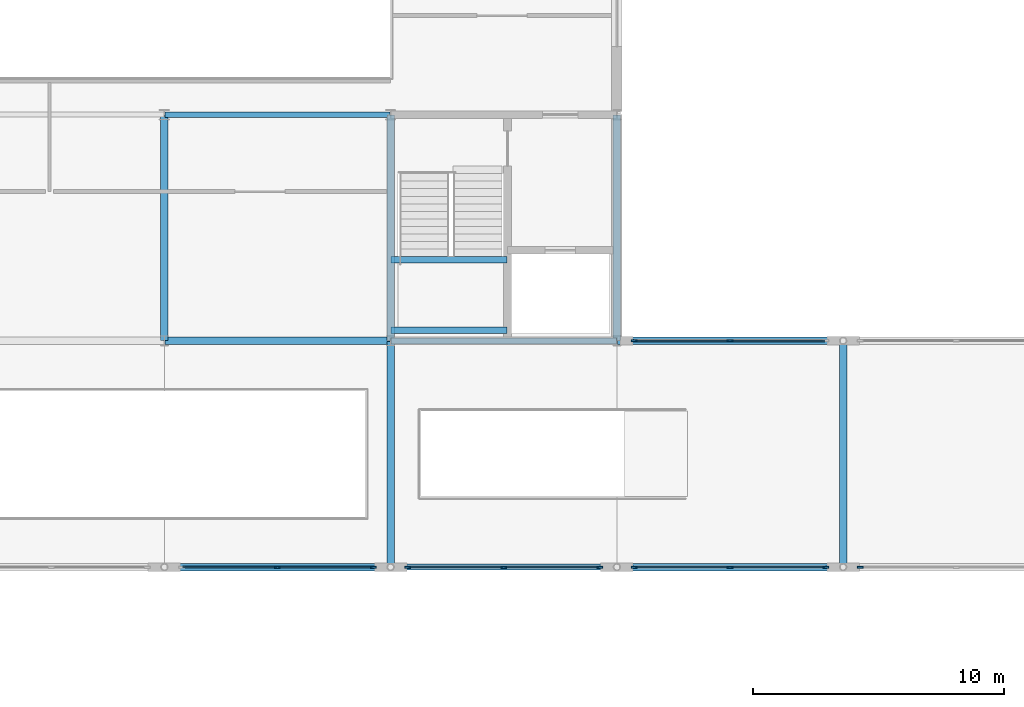
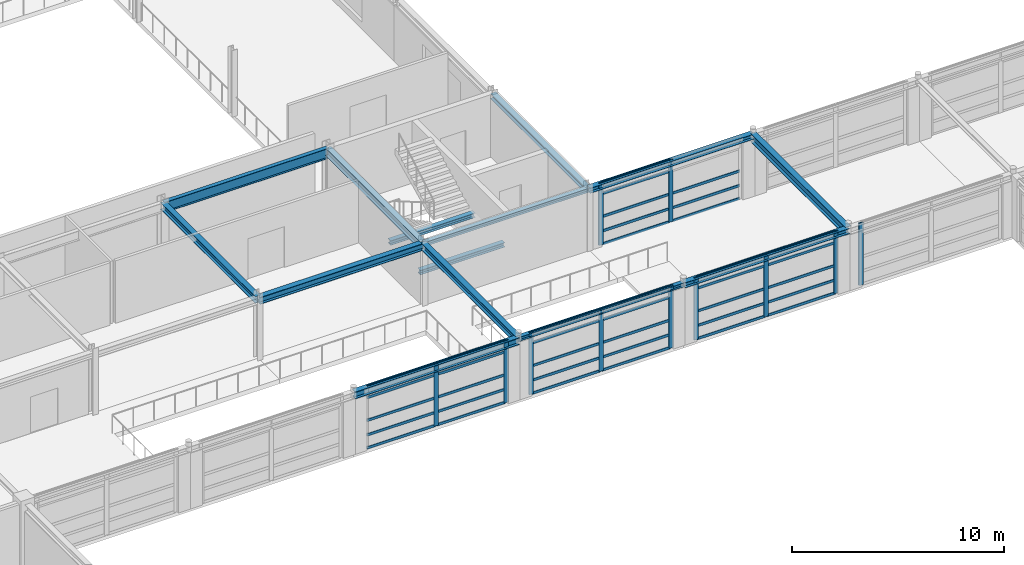
# One storey, part 33 of 79: 49 members, 14 beams, 5 elements without a shape of their own.
"""IFC4 building model written with IfcOpenShell, lengths in metres."""

from ifc_helpers import new_model, si_unit, direction, frame, origin, origin_2d, place, context, subcontext, project, spatial, rectangle, i_section, extrude, material, material_profile, profile_set, type_object, element, aggregate, save


model = new_model("IFC4")

# Units and contexts
model_context = context("Model", 3, precision=1e-05, world=origin(), true_north=direction((0.0, 1.0)))
body_context = subcontext(model_context, "Body", "Model", "MODEL_VIEW")
ifc_project = project(units=[si_unit("LENGTHUNIT", "METRE"), si_unit("AREAUNIT", "SQUARE_METRE"), si_unit("VOLUMEUNIT", "CUBIC_METRE"), si_unit("PLANEANGLEUNIT", "RADIAN"), si_unit("MASSUNIT", "GRAM", prefix="KILO")], contexts=[model_context])

# Site, building, storey
site_placement = place(None, origin())
site = spatial("IfcSite", under=ifc_project, at=site_placement, CompositionType="ELEMENT")
building_placement = place(site_placement, origin())
building = spatial("IfcBuilding", under=site, at=building_placement, Name="Palais des Congres Ocreval", CompositionType="ELEMENT")
storey_placement = place(building_placement, frame((0.0, 0.0, 4.320068359375)))
storey = spatial("IfcBuildingStorey", under=building, at=storey_placement, Name="L01", CompositionType="ELEMENT", Elevation=4.320068359375)

# Beam
ifc_material_1 = material(Name="Steel S355", Category="steel")
ifc_material_profile_1 = material_profile(ifc_material_1, i_section(OverallWidth=0.219970703125, OverallDepth=0.60009765625, WebThickness=0.011962890625, FlangeThickness=0.01904296875, at=origin_2d()), Name="IPE 600")
ifc_profile_set_1 = profile_set([ifc_material_profile_1], Name="Steel S355")
beam_type_1 = type_object("IfcBeamType", Name="Composite Beam IPE 600 Steel S355", PredefinedType="BEAM", material=ifc_profile_set_1)
beam_1_placement = place(storey_placement, frame((36.02001953125, 90.0, 3.280029296875), z_axis=(1.0, 0.0, 0.0), x_axis=(0.0, 1.0, 0.0)))
element("IfcBeam", 1, at=beam_1_placement, inside=storey, type_object=beam_type_1, Name="Beam B06 L01", PredefinedType="BEAM", context=body_context, shape_type="SweptSolid", body=[
    extrude(i_section(OverallWidth=0.219970703125, OverallDepth=0.60009765625, WebThickness=0.011962890625, FlangeThickness=0.01904296875, at=origin_2d()), origin(), (0.0, 0.0, 1.0), 8.9599609375),
])

# Curtain wall, members
ifc_material_2 = material(Name="Anodized bronze aluminium and low-E glass", Category="glass")
curtain_wall_type = type_object("IfcCurtainWallType", Name="Unitised Curtain Wall 7900x3660", PredefinedType="USERDEFINED", material=ifc_material_2)
curtain_wall_1_placement = place(storey_placement, origin())
curtain_wall_1 = element("IfcCurtainWall", 2, at=curtain_wall_1_placement, inside=storey, type_object=curtain_wall_type, Name="Unitised Curtain Wall CW02 L01", ObjectType="UNITISED CURTAIN WALL", PredefinedType="USERDEFINED")
ifc_material_3 = material(Name="Anodized bronze aluminium", Category="aluminium")
ifc_material_profile_2 = material_profile(ifc_material_3, rectangle(XDim=0.074951171875, YDim=0.239990234375, at=origin_2d()), Name="ALU 75x240")
ifc_profile_set_2 = profile_set([ifc_material_profile_2], Name="Anodized bronze aluminium")
member_type_1 = type_object("IfcMemberType", Name="Curtain Wall Mullion ALU 75x240", PredefinedType="MULLION", material=ifc_profile_set_2)
member_1_placement = place(storey_placement, frame((54.6875, 81.0, 0.0), z_axis=(0.0, 0.0, 1.0), x_axis=(0.0, 1.0, 0.0)))
member_1 = element("IfcMember", 3, at=member_1_placement, type_object=member_type_1, Name="Curtain Wall Mullion ML01", PredefinedType="MULLION", context=body_context, shape_type="SweptSolid", body=[
    extrude(rectangle(XDim=0.074951171875, YDim=0.239990234375, at=origin_2d()), origin(), (0.0, 0.0, 1.0), 3.58984375),
])
member_2_placement = place(storey_placement, frame((58.5, 81.0, 0.0), z_axis=(0.0, 0.0, 1.0), x_axis=(0.0, 1.0, 0.0)))
member_2 = element("IfcMember", 4, at=member_2_placement, type_object=member_type_1, Name="Curtain Wall Mullion ML01", PredefinedType="MULLION", context=body_context, shape_type="SweptSolid", body=[
    extrude(rectangle(XDim=0.074951171875, YDim=0.239990234375, at=origin_2d()), origin(), (0.0, 0.0, 1.0), 3.58984375),
])

# Curtain wall, member
curtain_wall_2_placement = place(storey_placement, origin())
curtain_wall_2 = element("IfcCurtainWall", 5, at=curtain_wall_2_placement, inside=storey, type_object=curtain_wall_type, Name="Unitised Curtain Wall CW02 L01", ObjectType="UNITISED CURTAIN WALL", PredefinedType="USERDEFINED")
member_3_placement = place(storey_placement, frame((63.6875, 72.0, 0.0), z_axis=(0.0, 0.0, 1.0), x_axis=(0.0, -1.0, 0.0)))
member_3 = element("IfcMember", 6, at=member_3_placement, type_object=member_type_1, Name="Curtain Wall Mullion ML01", PredefinedType="MULLION", context=body_context, shape_type="SweptSolid", body=[
    extrude(rectangle(XDim=0.074951171875, YDim=0.239990234375, at=origin_2d()), origin(), (0.0, 0.0, 1.0), 3.58984375),
])
aggregate(curtain_wall_2, [member_3])

# Curtain wall, members
curtain_wall_3_placement = place(storey_placement, origin())
curtain_wall_3 = element("IfcCurtainWall", 7, at=curtain_wall_3_placement, inside=storey, type_object=curtain_wall_type, Name="Unitised Curtain Wall CW02 L01", ObjectType="UNITISED CURTAIN WALL", PredefinedType="USERDEFINED")
member_4_placement = place(storey_placement, frame((62.3125, 72.0, 0.0), z_axis=(0.0, 0.0, 1.0), x_axis=(0.0, -1.0, 0.0)))
member_4 = element("IfcMember", 8, at=member_4_placement, type_object=member_type_1, Name="Curtain Wall Mullion ML01", PredefinedType="MULLION", context=body_context, shape_type="SweptSolid", body=[
    extrude(rectangle(XDim=0.074951171875, YDim=0.239990234375, at=origin_2d()), origin(), (0.0, 0.0, 1.0), 3.58984375),
])
member_5_placement = place(storey_placement, frame((58.5, 72.0, 0.0), z_axis=(0.0, 0.0, 1.0), x_axis=(0.0, -1.0, 0.0)))
member_5 = element("IfcMember", 9, at=member_5_placement, type_object=member_type_1, Name="Curtain Wall Mullion ML01", PredefinedType="MULLION", context=body_context, shape_type="SweptSolid", body=[
    extrude(rectangle(XDim=0.074951171875, YDim=0.239990234375, at=origin_2d()), origin(), (0.0, 0.0, 1.0), 3.58984375),
])
member_6_placement = place(storey_placement, frame((54.6875, 72.0, 0.0), z_axis=(0.0, 0.0, 1.0), x_axis=(0.0, -1.0, 0.0)))
member_6 = element("IfcMember", 10, at=member_6_placement, type_object=member_type_1, Name="Curtain Wall Mullion ML01", PredefinedType="MULLION", context=body_context, shape_type="SweptSolid", body=[
    extrude(rectangle(XDim=0.074951171875, YDim=0.239990234375, at=origin_2d()), origin(), (0.0, 0.0, 1.0), 3.58984375),
])

curtain_wall_4_placement = place(storey_placement, origin())
curtain_wall_4 = element("IfcCurtainWall", 11, at=curtain_wall_4_placement, inside=storey, type_object=curtain_wall_type, Name="Unitised Curtain Wall CW02 L01", ObjectType="UNITISED CURTAIN WALL", PredefinedType="USERDEFINED")
member_7_placement = place(storey_placement, frame((53.3125, 72.0, 0.0), z_axis=(0.0, 0.0, 1.0), x_axis=(0.0, -1.0, 0.0)))
member_7 = element("IfcMember", 12, at=member_7_placement, type_object=member_type_1, Name="Curtain Wall Mullion ML01", PredefinedType="MULLION", context=body_context, shape_type="SweptSolid", body=[
    extrude(rectangle(XDim=0.074951171875, YDim=0.239990234375, at=origin_2d()), origin(), (0.0, 0.0, 1.0), 3.58984375),
])
member_8_placement = place(storey_placement, frame((49.5, 72.0, 0.0), z_axis=(0.0, 0.0, 1.0), x_axis=(0.0, -1.0, 0.0)))
member_8 = element("IfcMember", 13, at=member_8_placement, type_object=member_type_1, Name="Curtain Wall Mullion ML01", PredefinedType="MULLION", context=body_context, shape_type="SweptSolid", body=[
    extrude(rectangle(XDim=0.074951171875, YDim=0.239990234375, at=origin_2d()), origin(), (0.0, 0.0, 1.0), 3.58984375),
])
member_9_placement = place(storey_placement, frame((45.6875, 72.0, 0.0), z_axis=(0.0, 0.0, 1.0), x_axis=(0.0, -1.0, 0.0)))
member_9 = element("IfcMember", 14, at=member_9_placement, type_object=member_type_1, Name="Curtain Wall Mullion ML01", PredefinedType="MULLION", context=body_context, shape_type="SweptSolid", body=[
    extrude(rectangle(XDim=0.074951171875, YDim=0.239990234375, at=origin_2d()), origin(), (0.0, 0.0, 1.0), 3.58984375),
])

curtain_wall_5_placement = place(storey_placement, origin())
curtain_wall_5 = element("IfcCurtainWall", 15, at=curtain_wall_5_placement, inside=storey, type_object=curtain_wall_type, Name="Unitised Curtain Wall CW02 L01", ObjectType="UNITISED CURTAIN WALL", PredefinedType="USERDEFINED")
member_10_placement = place(storey_placement, frame((44.3125, 72.0, 0.0), z_axis=(0.0, 0.0, 1.0), x_axis=(0.0, -1.0, 0.0)))
member_10 = element("IfcMember", 16, at=member_10_placement, type_object=member_type_1, Name="Curtain Wall Mullion ML01", PredefinedType="MULLION", context=body_context, shape_type="SweptSolid", body=[
    extrude(rectangle(XDim=0.074951171875, YDim=0.239990234375, at=origin_2d()), origin(), (0.0, 0.0, 1.0), 3.58984375),
])
member_11_placement = place(storey_placement, frame((40.5, 72.0, 0.0), z_axis=(0.0, 0.0, 1.0), x_axis=(0.0, -1.0, 0.0)))
member_11 = element("IfcMember", 17, at=member_11_placement, type_object=member_type_1, Name="Curtain Wall Mullion ML01", PredefinedType="MULLION", context=body_context, shape_type="SweptSolid", body=[
    extrude(rectangle(XDim=0.074951171875, YDim=0.239990234375, at=origin_2d()), origin(), (0.0, 0.0, 1.0), 3.58984375),
])

# Member
ifc_material_profile_3 = material_profile(ifc_material_3, rectangle(XDim=0.06005859375, YDim=0.14990234375, at=origin_2d()), Name="ALU 60x150")
ifc_profile_set_3 = profile_set([ifc_material_profile_3], Name="Anodized bronze aluminium")
member_type_2 = type_object("IfcMemberType", Name="Curtain Wall Transom ALU 60x150", PredefinedType="USERDEFINED", material=ifc_profile_set_3)
member_12_placement = place(storey_placement, frame((54.72509765625, 81.0, 0.030029296875), z_axis=(1.0, 0.0, 0.0), x_axis=(0.0, 1.0, 0.0)))
member_12 = element("IfcMember", 18, at=member_12_placement, type_object=member_type_2, Name="Curtain Wall Transom TR01", ObjectType="TRANSOM", PredefinedType="USERDEFINED", context=body_context, shape_type="SweptSolid", body=[
    extrude(rectangle(XDim=0.06005859375, YDim=0.14990234375, at=origin_2d()), origin(), (0.0, 0.0, 1.0), 3.7373046875),
])

member_13_placement = place(storey_placement, frame((54.72509765625, 81.0, 0.780029296875), z_axis=(1.0, 0.0, 0.0), x_axis=(0.0, 1.0, 0.0)))
member_13 = element("IfcMember", 19, at=member_13_placement, type_object=member_type_2, Name="Curtain Wall Transom TR01", ObjectType="TRANSOM", PredefinedType="USERDEFINED", context=body_context, shape_type="SweptSolid", body=[
    extrude(rectangle(XDim=0.06005859375, YDim=0.14990234375, at=origin_2d()), origin(), (0.0, 0.0, 1.0), 3.7373046875),
])

member_14_placement = place(storey_placement, frame((54.72509765625, 81.0, 1.616943359375), z_axis=(1.0, 0.0, 0.0), x_axis=(0.0, 1.0, 0.0)))
member_14 = element("IfcMember", 20, at=member_14_placement, type_object=member_type_2, Name="Curtain Wall Transom TR01", ObjectType="TRANSOM", PredefinedType="USERDEFINED", context=body_context, shape_type="SweptSolid", body=[
    extrude(rectangle(XDim=0.06005859375, YDim=0.14990234375, at=origin_2d()), origin(), (0.0, 0.0, 1.0), 3.7373046875),
])

member_15_placement = place(storey_placement, frame((54.72509765625, 81.0, 2.93994140625), z_axis=(1.0, 0.0, 0.0), x_axis=(0.0, 1.0, 0.0)))
member_15 = element("IfcMember", 21, at=member_15_placement, type_object=member_type_2, Name="Curtain Wall Transom TR01", ObjectType="TRANSOM", PredefinedType="USERDEFINED", context=body_context, shape_type="SweptSolid", body=[
    extrude(rectangle(XDim=0.06005859375, YDim=0.14990234375, at=origin_2d()), origin(), (0.0, 0.0, 1.0), 3.7373046875),
])

member_16_placement = place(storey_placement, frame((54.72509765625, 81.0, 3.559814453125), z_axis=(1.0, 0.0, 0.0), x_axis=(0.0, 1.0, 0.0)))
member_16 = element("IfcMember", 22, at=member_16_placement, type_object=member_type_2, Name="Curtain Wall Transom TR01", ObjectType="TRANSOM", PredefinedType="USERDEFINED", context=body_context, shape_type="SweptSolid", body=[
    extrude(rectangle(XDim=0.06005859375, YDim=0.14990234375, at=origin_2d()), origin(), (0.0, 0.0, 1.0), 3.7373046875),
])

member_17_placement = place(storey_placement, frame((58.53759765625, 81.0, 0.030029296875), z_axis=(1.0, 0.0, 0.0), x_axis=(0.0, 1.0, 0.0)))
member_17 = element("IfcMember", 23, at=member_17_placement, type_object=member_type_2, Name="Curtain Wall Transom TR01", ObjectType="TRANSOM", PredefinedType="USERDEFINED", context=body_context, shape_type="SweptSolid", body=[
    extrude(rectangle(XDim=0.06005859375, YDim=0.14990234375, at=origin_2d()), origin(), (0.0, 0.0, 1.0), 3.7373046875),
])

member_18_placement = place(storey_placement, frame((58.53759765625, 81.0, 0.780029296875), z_axis=(1.0, 0.0, 0.0), x_axis=(0.0, 1.0, 0.0)))
member_18 = element("IfcMember", 24, at=member_18_placement, type_object=member_type_2, Name="Curtain Wall Transom TR01", ObjectType="TRANSOM", PredefinedType="USERDEFINED", context=body_context, shape_type="SweptSolid", body=[
    extrude(rectangle(XDim=0.06005859375, YDim=0.14990234375, at=origin_2d()), origin(), (0.0, 0.0, 1.0), 3.7373046875),
])

member_19_placement = place(storey_placement, frame((58.53759765625, 81.0, 1.616943359375), z_axis=(1.0, 0.0, 0.0), x_axis=(0.0, 1.0, 0.0)))
member_19 = element("IfcMember", 25, at=member_19_placement, type_object=member_type_2, Name="Curtain Wall Transom TR01", ObjectType="TRANSOM", PredefinedType="USERDEFINED", context=body_context, shape_type="SweptSolid", body=[
    extrude(rectangle(XDim=0.06005859375, YDim=0.14990234375, at=origin_2d()), origin(), (0.0, 0.0, 1.0), 3.7373046875),
])

aggregate(curtain_wall_1, [member_1, member_2, member_12, member_13, member_14, member_15, member_16, member_17, member_18, member_19])

member_20_placement = place(storey_placement, frame((62.27490234375, 72.0, 0.030029296875), z_axis=(-1.0, 0.0, 0.0), x_axis=(0.0, -1.0, 0.0)))
member_20 = element("IfcMember", 26, at=member_20_placement, type_object=member_type_2, Name="Curtain Wall Transom TR01", ObjectType="TRANSOM", PredefinedType="USERDEFINED", context=body_context, shape_type="SweptSolid", body=[
    extrude(rectangle(XDim=0.06005859375, YDim=0.14990234375, at=origin_2d()), origin(), (0.0, 0.0, 1.0), 3.7373046875),
])

member_21_placement = place(storey_placement, frame((62.27490234375, 72.0, 0.780029296875), z_axis=(-1.0, 0.0, 0.0), x_axis=(0.0, -1.0, 0.0)))
member_21 = element("IfcMember", 27, at=member_21_placement, type_object=member_type_2, Name="Curtain Wall Transom TR01", ObjectType="TRANSOM", PredefinedType="USERDEFINED", context=body_context, shape_type="SweptSolid", body=[
    extrude(rectangle(XDim=0.06005859375, YDim=0.14990234375, at=origin_2d()), origin(), (0.0, 0.0, 1.0), 3.7373046875),
])

member_22_placement = place(storey_placement, frame((62.27490234375, 72.0, 1.616943359375), z_axis=(-1.0, 0.0, 0.0), x_axis=(0.0, -1.0, 0.0)))
member_22 = element("IfcMember", 28, at=member_22_placement, type_object=member_type_2, Name="Curtain Wall Transom TR01", ObjectType="TRANSOM", PredefinedType="USERDEFINED", context=body_context, shape_type="SweptSolid", body=[
    extrude(rectangle(XDim=0.06005859375, YDim=0.14990234375, at=origin_2d()), origin(), (0.0, 0.0, 1.0), 3.7373046875),
])

member_23_placement = place(storey_placement, frame((62.27490234375, 72.0, 2.93994140625), z_axis=(-1.0, 0.0, 0.0), x_axis=(0.0, -1.0, 0.0)))
member_23 = element("IfcMember", 29, at=member_23_placement, type_object=member_type_2, Name="Curtain Wall Transom TR01", ObjectType="TRANSOM", PredefinedType="USERDEFINED", context=body_context, shape_type="SweptSolid", body=[
    extrude(rectangle(XDim=0.06005859375, YDim=0.14990234375, at=origin_2d()), origin(), (0.0, 0.0, 1.0), 3.7373046875),
])

member_24_placement = place(storey_placement, frame((62.27490234375, 72.0, 3.559814453125), z_axis=(-1.0, 0.0, 0.0), x_axis=(0.0, -1.0, 0.0)))
member_24 = element("IfcMember", 30, at=member_24_placement, type_object=member_type_2, Name="Curtain Wall Transom TR01", ObjectType="TRANSOM", PredefinedType="USERDEFINED", context=body_context, shape_type="SweptSolid", body=[
    extrude(rectangle(XDim=0.06005859375, YDim=0.14990234375, at=origin_2d()), origin(), (0.0, 0.0, 1.0), 3.7373046875),
])

member_25_placement = place(storey_placement, frame((58.46240234375, 72.0, 0.030029296875), z_axis=(-1.0, 0.0, 0.0), x_axis=(0.0, -1.0, 0.0)))
member_25 = element("IfcMember", 31, at=member_25_placement, type_object=member_type_2, Name="Curtain Wall Transom TR01", ObjectType="TRANSOM", PredefinedType="USERDEFINED", context=body_context, shape_type="SweptSolid", body=[
    extrude(rectangle(XDim=0.06005859375, YDim=0.14990234375, at=origin_2d()), origin(), (0.0, 0.0, 1.0), 3.7373046875),
])

member_26_placement = place(storey_placement, frame((58.46240234375, 72.0, 0.780029296875), z_axis=(-1.0, 0.0, 0.0), x_axis=(0.0, -1.0, 0.0)))
member_26 = element("IfcMember", 32, at=member_26_placement, type_object=member_type_2, Name="Curtain Wall Transom TR01", ObjectType="TRANSOM", PredefinedType="USERDEFINED", context=body_context, shape_type="SweptSolid", body=[
    extrude(rectangle(XDim=0.06005859375, YDim=0.14990234375, at=origin_2d()), origin(), (0.0, 0.0, 1.0), 3.7373046875),
])

member_27_placement = place(storey_placement, frame((58.46240234375, 72.0, 1.616943359375), z_axis=(-1.0, 0.0, 0.0), x_axis=(0.0, -1.0, 0.0)))
member_27 = element("IfcMember", 33, at=member_27_placement, type_object=member_type_2, Name="Curtain Wall Transom TR01", ObjectType="TRANSOM", PredefinedType="USERDEFINED", context=body_context, shape_type="SweptSolid", body=[
    extrude(rectangle(XDim=0.06005859375, YDim=0.14990234375, at=origin_2d()), origin(), (0.0, 0.0, 1.0), 3.7373046875),
])

member_28_placement = place(storey_placement, frame((58.46240234375, 72.0, 2.93994140625), z_axis=(-1.0, 0.0, 0.0), x_axis=(0.0, -1.0, 0.0)))
member_28 = element("IfcMember", 34, at=member_28_placement, type_object=member_type_2, Name="Curtain Wall Transom TR01", ObjectType="TRANSOM", PredefinedType="USERDEFINED", context=body_context, shape_type="SweptSolid", body=[
    extrude(rectangle(XDim=0.06005859375, YDim=0.14990234375, at=origin_2d()), origin(), (0.0, 0.0, 1.0), 3.7373046875),
])

member_29_placement = place(storey_placement, frame((58.46240234375, 72.0, 3.559814453125), z_axis=(-1.0, 0.0, 0.0), x_axis=(0.0, -1.0, 0.0)))
member_29 = element("IfcMember", 35, at=member_29_placement, type_object=member_type_2, Name="Curtain Wall Transom TR01", ObjectType="TRANSOM", PredefinedType="USERDEFINED", context=body_context, shape_type="SweptSolid", body=[
    extrude(rectangle(XDim=0.06005859375, YDim=0.14990234375, at=origin_2d()), origin(), (0.0, 0.0, 1.0), 3.7373046875),
])

aggregate(curtain_wall_3, [member_4, member_5, member_6, member_20, member_21, member_22, member_23, member_24, member_25, member_26, member_27, member_28, member_29])

member_30_placement = place(storey_placement, frame((53.27490234375, 72.0, 0.030029296875), z_axis=(-1.0, 0.0, 0.0), x_axis=(0.0, -1.0, 0.0)))
member_30 = element("IfcMember", 36, at=member_30_placement, type_object=member_type_2, Name="Curtain Wall Transom TR01", ObjectType="TRANSOM", PredefinedType="USERDEFINED", context=body_context, shape_type="SweptSolid", body=[
    extrude(rectangle(XDim=0.06005859375, YDim=0.14990234375, at=origin_2d()), origin(), (0.0, 0.0, 1.0), 3.7373046875),
])

member_31_placement = place(storey_placement, frame((53.27490234375, 72.0, 0.780029296875), z_axis=(-1.0, 0.0, 0.0), x_axis=(0.0, -1.0, 0.0)))
member_31 = element("IfcMember", 37, at=member_31_placement, type_object=member_type_2, Name="Curtain Wall Transom TR01", ObjectType="TRANSOM", PredefinedType="USERDEFINED", context=body_context, shape_type="SweptSolid", body=[
    extrude(rectangle(XDim=0.06005859375, YDim=0.14990234375, at=origin_2d()), origin(), (0.0, 0.0, 1.0), 3.7373046875),
])

member_32_placement = place(storey_placement, frame((53.27490234375, 72.0, 1.616943359375), z_axis=(-1.0, 0.0, 0.0), x_axis=(0.0, -1.0, 0.0)))
member_32 = element("IfcMember", 38, at=member_32_placement, type_object=member_type_2, Name="Curtain Wall Transom TR01", ObjectType="TRANSOM", PredefinedType="USERDEFINED", context=body_context, shape_type="SweptSolid", body=[
    extrude(rectangle(XDim=0.06005859375, YDim=0.14990234375, at=origin_2d()), origin(), (0.0, 0.0, 1.0), 3.7373046875),
])

member_33_placement = place(storey_placement, frame((53.27490234375, 72.0, 2.93994140625), z_axis=(-1.0, 0.0, 0.0), x_axis=(0.0, -1.0, 0.0)))
member_33 = element("IfcMember", 39, at=member_33_placement, type_object=member_type_2, Name="Curtain Wall Transom TR01", ObjectType="TRANSOM", PredefinedType="USERDEFINED", context=body_context, shape_type="SweptSolid", body=[
    extrude(rectangle(XDim=0.06005859375, YDim=0.14990234375, at=origin_2d()), origin(), (0.0, 0.0, 1.0), 3.7373046875),
])

member_34_placement = place(storey_placement, frame((53.27490234375, 72.0, 3.559814453125), z_axis=(-1.0, 0.0, 0.0), x_axis=(0.0, -1.0, 0.0)))
member_34 = element("IfcMember", 40, at=member_34_placement, type_object=member_type_2, Name="Curtain Wall Transom TR01", ObjectType="TRANSOM", PredefinedType="USERDEFINED", context=body_context, shape_type="SweptSolid", body=[
    extrude(rectangle(XDim=0.06005859375, YDim=0.14990234375, at=origin_2d()), origin(), (0.0, 0.0, 1.0), 3.7373046875),
])

member_35_placement = place(storey_placement, frame((49.46240234375, 72.0, 0.030029296875), z_axis=(-1.0, 0.0, 0.0), x_axis=(0.0, -1.0, 0.0)))
member_35 = element("IfcMember", 41, at=member_35_placement, type_object=member_type_2, Name="Curtain Wall Transom TR01", ObjectType="TRANSOM", PredefinedType="USERDEFINED", context=body_context, shape_type="SweptSolid", body=[
    extrude(rectangle(XDim=0.06005859375, YDim=0.14990234375, at=origin_2d()), origin(), (0.0, 0.0, 1.0), 3.7373046875),
])

member_36_placement = place(storey_placement, frame((49.46240234375, 72.0, 0.780029296875), z_axis=(-1.0, 0.0, 0.0), x_axis=(0.0, -1.0, 0.0)))
member_36 = element("IfcMember", 42, at=member_36_placement, type_object=member_type_2, Name="Curtain Wall Transom TR01", ObjectType="TRANSOM", PredefinedType="USERDEFINED", context=body_context, shape_type="SweptSolid", body=[
    extrude(rectangle(XDim=0.06005859375, YDim=0.14990234375, at=origin_2d()), origin(), (0.0, 0.0, 1.0), 3.7373046875),
])

member_37_placement = place(storey_placement, frame((49.46240234375, 72.0, 1.616943359375), z_axis=(-1.0, 0.0, 0.0), x_axis=(0.0, -1.0, 0.0)))
member_37 = element("IfcMember", 43, at=member_37_placement, type_object=member_type_2, Name="Curtain Wall Transom TR01", ObjectType="TRANSOM", PredefinedType="USERDEFINED", context=body_context, shape_type="SweptSolid", body=[
    extrude(rectangle(XDim=0.06005859375, YDim=0.14990234375, at=origin_2d()), origin(), (0.0, 0.0, 1.0), 3.7373046875),
])

member_38_placement = place(storey_placement, frame((49.46240234375, 72.0, 2.93994140625), z_axis=(-1.0, 0.0, 0.0), x_axis=(0.0, -1.0, 0.0)))
member_38 = element("IfcMember", 44, at=member_38_placement, type_object=member_type_2, Name="Curtain Wall Transom TR01", ObjectType="TRANSOM", PredefinedType="USERDEFINED", context=body_context, shape_type="SweptSolid", body=[
    extrude(rectangle(XDim=0.06005859375, YDim=0.14990234375, at=origin_2d()), origin(), (0.0, 0.0, 1.0), 3.7373046875),
])

member_39_placement = place(storey_placement, frame((49.46240234375, 72.0, 3.559814453125), z_axis=(-1.0, 0.0, 0.0), x_axis=(0.0, -1.0, 0.0)))
member_39 = element("IfcMember", 45, at=member_39_placement, type_object=member_type_2, Name="Curtain Wall Transom TR01", ObjectType="TRANSOM", PredefinedType="USERDEFINED", context=body_context, shape_type="SweptSolid", body=[
    extrude(rectangle(XDim=0.06005859375, YDim=0.14990234375, at=origin_2d()), origin(), (0.0, 0.0, 1.0), 3.7373046875),
])

aggregate(curtain_wall_4, [member_7, member_8, member_9, member_30, member_31, member_32, member_33, member_34, member_35, member_36, member_37, member_38, member_39])

member_40_placement = place(storey_placement, frame((44.27490234375, 72.0, 0.030029296875), z_axis=(-1.0, 0.0, 0.0), x_axis=(0.0, -1.0, 0.0)))
member_40 = element("IfcMember", 46, at=member_40_placement, type_object=member_type_2, Name="Curtain Wall Transom TR01", ObjectType="TRANSOM", PredefinedType="USERDEFINED", context=body_context, shape_type="SweptSolid", body=[
    extrude(rectangle(XDim=0.06005859375, YDim=0.14990234375, at=origin_2d()), origin(), (0.0, 0.0, 1.0), 3.7373046875),
])

member_41_placement = place(storey_placement, frame((44.27490234375, 72.0, 0.780029296875), z_axis=(-1.0, 0.0, 0.0), x_axis=(0.0, -1.0, 0.0)))
member_41 = element("IfcMember", 47, at=member_41_placement, type_object=member_type_2, Name="Curtain Wall Transom TR01", ObjectType="TRANSOM", PredefinedType="USERDEFINED", context=body_context, shape_type="SweptSolid", body=[
    extrude(rectangle(XDim=0.06005859375, YDim=0.14990234375, at=origin_2d()), origin(), (0.0, 0.0, 1.0), 3.7373046875),
])

member_42_placement = place(storey_placement, frame((44.27490234375, 72.0, 1.616943359375), z_axis=(-1.0, 0.0, 0.0), x_axis=(0.0, -1.0, 0.0)))
member_42 = element("IfcMember", 48, at=member_42_placement, type_object=member_type_2, Name="Curtain Wall Transom TR01", ObjectType="TRANSOM", PredefinedType="USERDEFINED", context=body_context, shape_type="SweptSolid", body=[
    extrude(rectangle(XDim=0.06005859375, YDim=0.14990234375, at=origin_2d()), origin(), (0.0, 0.0, 1.0), 3.7373046875),
])

member_43_placement = place(storey_placement, frame((44.27490234375, 72.0, 2.93994140625), z_axis=(-1.0, 0.0, 0.0), x_axis=(0.0, -1.0, 0.0)))
member_43 = element("IfcMember", 49, at=member_43_placement, type_object=member_type_2, Name="Curtain Wall Transom TR01", ObjectType="TRANSOM", PredefinedType="USERDEFINED", context=body_context, shape_type="SweptSolid", body=[
    extrude(rectangle(XDim=0.06005859375, YDim=0.14990234375, at=origin_2d()), origin(), (0.0, 0.0, 1.0), 3.7373046875),
])

member_44_placement = place(storey_placement, frame((44.27490234375, 72.0, 3.559814453125), z_axis=(-1.0, 0.0, 0.0), x_axis=(0.0, -1.0, 0.0)))
member_44 = element("IfcMember", 50, at=member_44_placement, type_object=member_type_2, Name="Curtain Wall Transom TR01", ObjectType="TRANSOM", PredefinedType="USERDEFINED", context=body_context, shape_type="SweptSolid", body=[
    extrude(rectangle(XDim=0.06005859375, YDim=0.14990234375, at=origin_2d()), origin(), (0.0, 0.0, 1.0), 3.7373046875),
])

member_45_placement = place(storey_placement, frame((40.46240234375, 72.0, 0.030029296875), z_axis=(-1.0, 0.0, 0.0), x_axis=(0.0, -1.0, 0.0)))
member_45 = element("IfcMember", 51, at=member_45_placement, type_object=member_type_2, Name="Curtain Wall Transom TR01", ObjectType="TRANSOM", PredefinedType="USERDEFINED", context=body_context, shape_type="SweptSolid", body=[
    extrude(rectangle(XDim=0.06005859375, YDim=0.14990234375, at=origin_2d()), origin(), (0.0, 0.0, 1.0), 3.7373046875),
])

member_46_placement = place(storey_placement, frame((40.46240234375, 72.0, 0.780029296875), z_axis=(-1.0, 0.0, 0.0), x_axis=(0.0, -1.0, 0.0)))
member_46 = element("IfcMember", 52, at=member_46_placement, type_object=member_type_2, Name="Curtain Wall Transom TR01", ObjectType="TRANSOM", PredefinedType="USERDEFINED", context=body_context, shape_type="SweptSolid", body=[
    extrude(rectangle(XDim=0.06005859375, YDim=0.14990234375, at=origin_2d()), origin(), (0.0, 0.0, 1.0), 3.7373046875),
])

member_47_placement = place(storey_placement, frame((40.46240234375, 72.0, 1.616943359375), z_axis=(-1.0, 0.0, 0.0), x_axis=(0.0, -1.0, 0.0)))
member_47 = element("IfcMember", 53, at=member_47_placement, type_object=member_type_2, Name="Curtain Wall Transom TR01", ObjectType="TRANSOM", PredefinedType="USERDEFINED", context=body_context, shape_type="SweptSolid", body=[
    extrude(rectangle(XDim=0.06005859375, YDim=0.14990234375, at=origin_2d()), origin(), (0.0, 0.0, 1.0), 3.7373046875),
])

member_48_placement = place(storey_placement, frame((40.46240234375, 72.0, 2.93994140625), z_axis=(-1.0, 0.0, 0.0), x_axis=(0.0, -1.0, 0.0)))
member_48 = element("IfcMember", 54, at=member_48_placement, type_object=member_type_2, Name="Curtain Wall Transom TR01", ObjectType="TRANSOM", PredefinedType="USERDEFINED", context=body_context, shape_type="SweptSolid", body=[
    extrude(rectangle(XDim=0.06005859375, YDim=0.14990234375, at=origin_2d()), origin(), (0.0, 0.0, 1.0), 3.7373046875),
])

member_49_placement = place(storey_placement, frame((40.46240234375, 72.0, 3.559814453125), z_axis=(-1.0, 0.0, 0.0), x_axis=(0.0, -1.0, 0.0)))
member_49 = element("IfcMember", 55, at=member_49_placement, type_object=member_type_2, Name="Curtain Wall Transom TR01", ObjectType="TRANSOM", PredefinedType="USERDEFINED", context=body_context, shape_type="SweptSolid", body=[
    extrude(rectangle(XDim=0.06005859375, YDim=0.14990234375, at=origin_2d()), origin(), (0.0, 0.0, 1.0), 3.7373046875),
])

aggregate(curtain_wall_5, [member_10, member_11, member_40, member_41, member_42, member_43, member_44, member_45, member_46, member_47, member_48, member_49])

# Beams
ifc_material_profile_4 = material_profile(ifc_material_1, i_section(OverallWidth=0.260009765625, OverallDepth=0.260009765625, WebThickness=0.010009765625, FlangeThickness=0.017578125, at=origin_2d()), Name="HEB 260")
ifc_profile_set_4 = profile_set([ifc_material_profile_4], Name="Steel S355")
beam_type_2 = type_object("IfcBeamType", Name="Opening Lintel HEB 260 Steel S355", PredefinedType="LINTEL", material=ifc_profile_set_4)
for number, where, z_axis, x_axis, name in (
    (56, (45.02001953125, 81.419921875, 1.58984375), (1.0, 0.0, 0.0), (0.0, 1.0, 0.0), "Stair Landing Support Beam ST06 L01-1"),
    (57, (45.02001953125, 84.22998046875, 1.58984375), (1.0, 0.0, 0.0), (0.0, 1.0, 0.0), "Stair Landing Support Beam ST06 L01-2"),
):
    element("IfcBeam", number, at=place(storey_placement, frame(where, z_axis=z_axis, x_axis=x_axis)), inside=storey, type_object=beam_type_2, Name=name, PredefinedType="LINTEL", context=body_context, shape_type="SweptSolid", body=[
        extrude(i_section(OverallWidth=0.260009765625, OverallDepth=0.260009765625, WebThickness=0.010009765625, FlangeThickness=0.017578125, at=origin_2d()), origin(), (0.0, 0.0, 1.0), 4.60986328125),
    ])
ifc_material_profile_5 = material_profile(ifc_material_1, i_section(OverallWidth=0.239990234375, OverallDepth=0.22998046875, WebThickness=0.007568359375, FlangeThickness=0.011962890625, at=origin_2d()), Name="HEA 240")
ifc_profile_set_5 = profile_set([ifc_material_profile_5], Name="Steel S355")
beam_type_3 = type_object("IfcBeamType", Name="Perimeter Spandrel HEA 240 Steel S355", PredefinedType="SPANDREL", material=ifc_profile_set_5)
for number, where, z_axis, x_axis, name in (
    (58, (45.02001953125, 72.0, 3.46484375), (1.0, 0.0, 0.0), (0.0, 1.0, 0.0), "Beam SP01 L01"),
    (59, (45.02001953125, 81.0, 3.46484375), (1.0, 0.0, 0.0), (0.0, 1.0, 0.0), "Beam SP01 L01"),
):
    element("IfcBeam", number, at=place(storey_placement, frame(where, z_axis=z_axis, x_axis=x_axis)), inside=storey, type_object=beam_type_3, Name=name, PredefinedType="SPANDREL", context=body_context, shape_type="SweptSolid", body=[
        extrude(i_section(OverallWidth=0.239990234375, OverallDepth=0.22998046875, WebThickness=0.007568359375, FlangeThickness=0.011962890625, at=origin_2d()), origin(), (0.0, 0.0, 1.0), 8.9599609375),
    ])
ifc_material_profile_6 = material_profile(ifc_material_1, i_section(OverallWidth=0.300048828125, OverallDepth=0.300048828125, WebThickness=0.010986328125, FlangeThickness=0.01904296875, at=origin_2d()), Name="HEB 300")
ifc_profile_set_6 = profile_set([ifc_material_profile_6], Name="Steel S355")
beam_type_4 = type_object("IfcBeamType", Name="Perimeter Spandrel HEB 300 Steel S355", PredefinedType="SPANDREL", material=ifc_profile_set_6)
for number, where, z_axis, x_axis, name in (
    (60, (54.02001953125, 72.0, 3.429931640625), (1.0, 0.0, 0.0), (0.0, 1.0, 0.0), "Beam SP02 L01"),
    (61, (54.02001953125, 81.0, 3.429931640625), (1.0, 0.0, 0.0), (0.0, 1.0, 0.0), "Beam SP02 L01"),
    (62, (54.0, 81.02001953125, 3.429931640625), (0.0, 1.0, 0.0), (-1.0, 0.0, 0.0), "Girder SP02 L01"),
):
    element("IfcBeam", number, at=place(storey_placement, frame(where, z_axis=z_axis, x_axis=x_axis)), inside=storey, type_object=beam_type_4, Name=name, PredefinedType="SPANDREL", context=body_context, shape_type="SweptSolid", body=[
        extrude(i_section(OverallWidth=0.300048828125, OverallDepth=0.300048828125, WebThickness=0.010986328125, FlangeThickness=0.01904296875, at=origin_2d()), origin(), (0.0, 0.0, 1.0), 8.9599609375),
    ])
ifc_material_profile_7 = material_profile(ifc_material_1, i_section(OverallWidth=0.300048828125, OverallDepth=0.39990234375, WebThickness=0.013427734375, FlangeThickness=0.02392578125, at=origin_2d()), Name="HEB 400")
ifc_profile_set_7 = profile_set([ifc_material_profile_7], Name="Steel S355")
beam_type_5 = type_object("IfcBeamType", Name="Perimeter Spandrel HEB 400 Steel S355", PredefinedType="SPANDREL", material=ifc_profile_set_7)
for number, where, z_axis, x_axis, name in (
    (63, (36.02001953125, 72.0, 3.3798828125), (1.0, 0.0, 0.0), (0.0, 1.0, 0.0), "Beam SP04 L01"),
    (64, (36.02001953125, 81.0, 3.3798828125), (1.0, 0.0, 0.0), (0.0, 1.0, 0.0), "Beam SP04 L01"),
):
    element("IfcBeam", number, at=place(storey_placement, frame(where, z_axis=z_axis, x_axis=x_axis)), inside=storey, type_object=beam_type_5, Name=name, PredefinedType="SPANDREL", context=body_context, shape_type="SweptSolid", body=[
        extrude(i_section(OverallWidth=0.300048828125, OverallDepth=0.39990234375, WebThickness=0.013427734375, FlangeThickness=0.02392578125, at=origin_2d()), origin(), (0.0, 0.0, 1.0), 8.9599609375),
    ])
ifc_material_profile_8 = material_profile(ifc_material_1, i_section(OverallWidth=0.300048828125, OverallDepth=0.389892578125, WebThickness=0.010986328125, FlangeThickness=0.01904296875, at=origin_2d()), Name="HEA 400")
ifc_profile_set_8 = profile_set([ifc_material_profile_8], Name="Steel S355")
beam_type_6 = type_object("IfcBeamType", Name="Primary Beam HEA 400 Steel S355", PredefinedType="BEAM", material=ifc_profile_set_8)
for number, where, z_axis, x_axis, name in (
    (65, (36.0, 81.02001953125, 3.385009765625), (0.0, 1.0, 0.0), (-1.0, 0.0, 0.0), "Girder B10 L01"),
    (66, (45.0, 72.02001953125, 3.385009765625), (0.0, 1.0, 0.0), (-1.0, 0.0, 0.0), "Girder B10 L01"),
):
    element("IfcBeam", number, at=place(storey_placement, frame(where, z_axis=z_axis, x_axis=x_axis)), inside=storey, type_object=beam_type_6, Name=name, PredefinedType="BEAM", context=body_context, shape_type="SweptSolid", body=[
        extrude(i_section(OverallWidth=0.300048828125, OverallDepth=0.389892578125, WebThickness=0.010986328125, FlangeThickness=0.01904296875, at=origin_2d()), origin(), (0.0, 0.0, 1.0), 8.9599609375),
    ])
ifc_material_profile_9 = material_profile(ifc_material_1, i_section(OverallWidth=0.300048828125, OverallDepth=0.43994140625, WebThickness=0.011474609375, FlangeThickness=0.02099609375, at=origin_2d()), Name="HEA 450")
ifc_profile_set_9 = profile_set([ifc_material_profile_9], Name="Steel S355")
beam_type_7 = type_object("IfcBeamType", Name="Primary Beam HEA 450 Steel S355", PredefinedType="BEAM", material=ifc_profile_set_9)
beam_2_placement = place(storey_placement, frame((45.0, 81.02001953125, 3.35986328125), z_axis=(0.0, 1.0, 0.0), x_axis=(-1.0, 0.0, 0.0)))
element("IfcBeam", 67, at=beam_2_placement, inside=storey, type_object=beam_type_7, Name="Girder B11 L01", PredefinedType="BEAM", context=body_context, shape_type="SweptSolid", body=[
    extrude(i_section(OverallWidth=0.300048828125, OverallDepth=0.43994140625, WebThickness=0.011474609375, FlangeThickness=0.02099609375, at=origin_2d()), origin(), (0.0, 0.0, 1.0), 8.9599609375),
])
ifc_material_profile_10 = material_profile(ifc_material_1, i_section(OverallWidth=0.300048828125, OverallDepth=0.489990234375, WebThickness=0.011962890625, FlangeThickness=0.02294921875, at=origin_2d()), Name="HEA 500")
ifc_profile_set_10 = profile_set([ifc_material_profile_10], Name="Steel S355")
beam_type_8 = type_object("IfcBeamType", Name="Primary Beam HEA 500 Steel S355", PredefinedType="BEAM", material=ifc_profile_set_10)
beam_3_placement = place(storey_placement, frame((63.0, 72.02001953125, 3.3349609375), z_axis=(0.0, 1.0, 0.0), x_axis=(-1.0, 0.0, 0.0)))
element("IfcBeam", 68, at=beam_3_placement, inside=storey, type_object=beam_type_8, Name="Girder B12 L01", PredefinedType="BEAM", context=body_context, shape_type="SweptSolid", body=[
    extrude(i_section(OverallWidth=0.300048828125, OverallDepth=0.489990234375, WebThickness=0.011962890625, FlangeThickness=0.02294921875, at=origin_2d()), origin(), (0.0, 0.0, 1.0), 8.9599609375),
])

save(model, "model.ifc")
